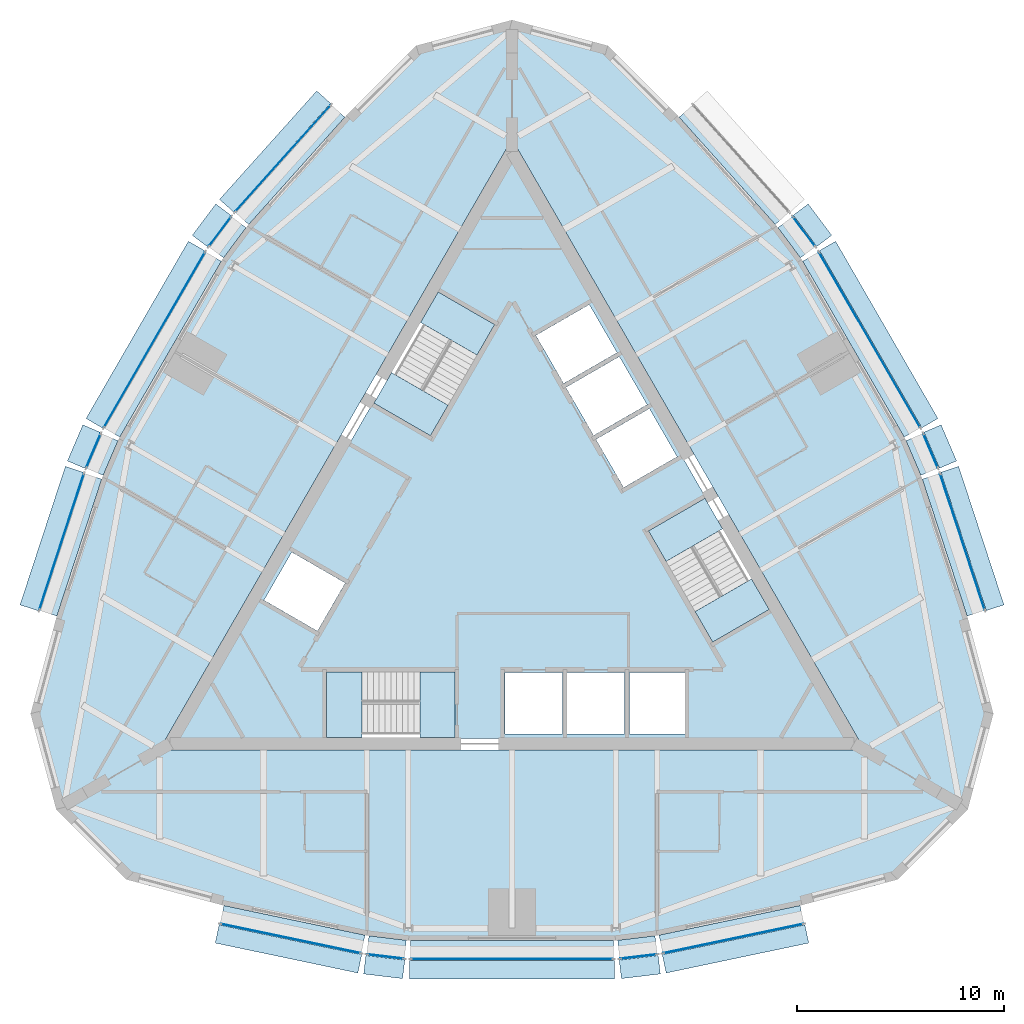
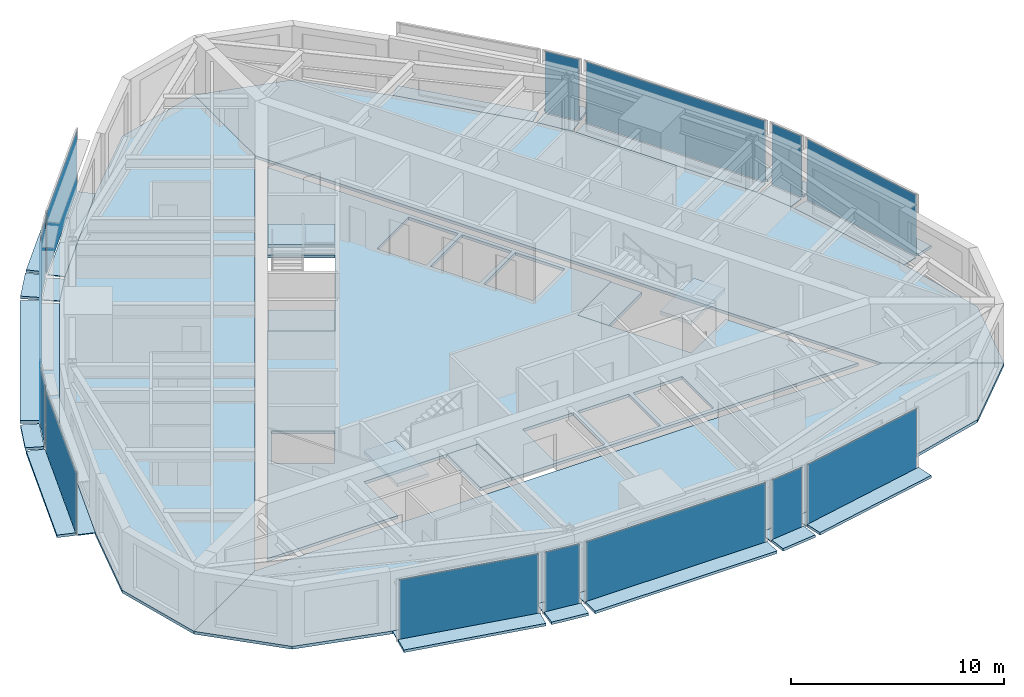
# One storey, part 6 of 12: 43 plates, 10 slabs, 17 elements without a shape of their own.
"""IFC4 building model written with IfcOpenShell, lengths in metres."""

from ifc_helpers import new_model, si_unit, direction, frame, origin, origin_2d, place, context, subcontext, project, spatial, polyline, rectangle, outline, extrude, material, layer, layer_set, type_object, element, aggregate, save


model = new_model("IFC4")

# Units and contexts
model_context = context("Model", 3, precision=1e-05, world=origin(), true_north=direction((0.0, 1.0)))
body_context = subcontext(model_context, "Body", "Model", "MODEL_VIEW")
ifc_project = project(units=[si_unit("LENGTHUNIT", "METRE"), si_unit("AREAUNIT", "SQUARE_METRE"), si_unit("VOLUMEUNIT", "CUBIC_METRE"), si_unit("PLANEANGLEUNIT", "RADIAN"), si_unit("MASSUNIT", "GRAM", prefix="KILO")], contexts=[model_context])

# Site, building, storey
site_placement = place(None, origin())
site = spatial("IfcSite", under=ifc_project, at=site_placement, CompositionType="ELEMENT")
building_placement = place(site_placement, origin())
building = spatial("IfcBuilding", under=site, at=building_placement, Name="Trikona Tower", CompositionType="ELEMENT")
storey_placement = place(building_placement, frame((0.0, 0.0, 257.300048828125)))
storey = spatial("IfcBuildingStorey", under=building, at=storey_placement, Name="L68", CompositionType="ELEMENT", Elevation=257.300048828125)

# Plates
ifc_material_1 = material(Name="Aluminium bar grating", Category="aluminium")
ifc_layer_1 = layer(ifc_material_1, 0.050048828125)
ifc_layer_set_1 = layer_set([ifc_layer_1], Name="Cavity catwalk grating")
plate_type_1 = type_object("IfcPlateType", Name="Cavity catwalk grating", PredefinedType="USERDEFINED", material=ifc_layer_set_1)
plate_1_placement = place(storey_placement, frame((-10.586181640625, -18.466552734375, -0.05029296875), z_axis=(0.0, 0.0, 1.0), x_axis=(0.97865342171, -0.205517590916, 0.0)))
element("IfcPlate", 1, at=plate_1_placement, inside=storey, type_object=plate_type_1, Name="Cavity catwalk L68-00", ObjectType="CATWALK GRATING", PredefinedType="USERDEFINED", context=body_context, shape_type="SweptSolid", body=[
    extrude(rectangle(XDim=6.95263671875, YDim=0.840087890625, at=origin_2d()), origin(), (0.0, 0.0, 1.0), 0.050048828125),
])
plate_2_placement = place(storey_placement, frame((-6.050048828125, -19.327392578125, -0.05029296875), z_axis=(0.0, 0.0, 1.0), x_axis=(0.992876783199, -0.11914568135, 0.0)))
element("IfcPlate", 2, at=plate_2_placement, inside=storey, type_object=plate_type_1, Name="Cavity catwalk L68-01", ObjectType="CATWALK GRATING", PredefinedType="USERDEFINED", context=body_context, shape_type="SweptSolid", body=[
    extrude(rectangle(XDim=1.814208984375, YDim=0.840087890625, at=origin_2d()), origin(), (0.0, 0.0, 1.0), 0.050048828125),
])
plate_3_placement = place(storey_placement, frame((0.0, -19.450439453125, -0.05029296875), z_axis=(0.0, 0.0, 1.0), x_axis=(1.0, 0.0, 0.0)))
element("IfcPlate", 3, at=plate_3_placement, inside=storey, type_object=plate_type_1, Name="Cavity catwalk L68-02", ObjectType="CATWALK GRATING", PredefinedType="USERDEFINED", context=body_context, shape_type="SweptSolid", body=[
    extrude(rectangle(XDim=9.800048828125, YDim=0.840087890625, at=origin_2d()), origin(), (0.0, 0.0, 1.0), 0.050048828125),
])
plate_4_placement = place(storey_placement, frame((6.050048828125, -19.327392578125, -0.05029296875), z_axis=(0.0, 0.0, 1.0), x_axis=(0.992876783199, 0.11914568135, 0.0)))
element("IfcPlate", 4, at=plate_4_placement, inside=storey, type_object=plate_type_1, Name="Cavity catwalk L68-03", ObjectType="CATWALK GRATING", PredefinedType="USERDEFINED", context=body_context, shape_type="SweptSolid", body=[
    extrude(rectangle(XDim=1.814208984375, YDim=0.840087890625, at=origin_2d()), origin(), (0.0, 0.0, 1.0), 0.050048828125),
])
for number, where, z_axis, x_axis, name in (
    (5, (10.586181640625, -18.466552734375, -0.05029296875), (0.0, 0.0, 1.0), (0.97865342171, 0.205517590916, 0.0), "Cavity catwalk L68-04"),
    (6, (21.28564453125, 0.065185546875, -0.05029296875), (0.0, 0.0, 1.0), (-0.311336621861, 0.950299693722, 0.0), "Cavity catwalk L68-09"),
):
    element("IfcPlate", number, at=place(storey_placement, frame(where, z_axis=z_axis, x_axis=x_axis)), inside=storey, type_object=plate_type_1, Name=name, ObjectType="CATWALK GRATING", PredefinedType="USERDEFINED", context=body_context, shape_type="SweptSolid", body=[
        extrude(rectangle(XDim=6.95263671875, YDim=0.840087890625, at=origin_2d()), origin(), (0.0, 0.0, 1.0), 0.050048828125),
    ])
plate_5_placement = place(storey_placement, frame((19.76318359375, 4.42431640625, -0.05029296875), z_axis=(0.0, 0.0, 1.0), x_axis=(-0.39328408933, 0.919417002823, 0.0)))
element("IfcPlate", 7, at=plate_5_placement, inside=storey, type_object=plate_type_1, Name="Cavity catwalk L68-10", ObjectType="CATWALK GRATING", PredefinedType="USERDEFINED", context=body_context, shape_type="SweptSolid", body=[
    extrude(rectangle(XDim=1.814208984375, YDim=0.840087890625, at=origin_2d()), origin(), (0.0, 0.0, 1.0), 0.050048828125),
])
plate_6_placement = place(storey_placement, frame((16.844482421875, 9.72509765625, -0.05029296875), z_axis=(0.0, 0.0, 1.0), x_axis=(-0.4999984885, 0.866026276448, 0.0)))
element("IfcPlate", 8, at=plate_6_placement, inside=storey, type_object=plate_type_1, Name="Cavity catwalk L68-11", ObjectType="CATWALK GRATING", PredefinedType="USERDEFINED", context=body_context, shape_type="SweptSolid", body=[
    extrude(rectangle(XDim=9.800048828125, YDim=0.840087890625, at=origin_2d()), origin(), (0.0, 0.0, 1.0), 0.050048828125),
])
plate_7_placement = place(storey_placement, frame((13.713134765625, 14.9033203125, -0.05029296875), z_axis=(0.0, 0.0, 1.0), x_axis=(-0.599618784879, 0.800285769472, 0.0)))
element("IfcPlate", 9, at=plate_7_placement, inside=storey, type_object=plate_type_1, Name="Cavity catwalk L68-12", ObjectType="CATWALK GRATING", PredefinedType="USERDEFINED", context=body_context, shape_type="SweptSolid", body=[
    extrude(rectangle(XDim=1.814208984375, YDim=0.840087890625, at=origin_2d()), origin(), (0.0, 0.0, 1.0), 0.050048828125),
])
for number, where, z_axis, x_axis, name in (
    (10, (10.699462890625, 18.4013671875, -0.05029296875), (0.0, 0.0, 1.0), (-0.667311465398, 0.744778764566, 0.0), "Cavity catwalk L68-13"),
    (11, (-10.699462890625, 18.4013671875, -0.05029296875), (0.0, 0.0, 1.0), (-0.667311465398, -0.744778764566, 0.0), "Cavity catwalk L68-18"),
):
    element("IfcPlate", number, at=place(storey_placement, frame(where, z_axis=z_axis, x_axis=x_axis)), inside=storey, type_object=plate_type_1, Name=name, ObjectType="CATWALK GRATING", PredefinedType="USERDEFINED", context=body_context, shape_type="SweptSolid", body=[
        extrude(rectangle(XDim=6.95263671875, YDim=0.840087890625, at=origin_2d()), origin(), (0.0, 0.0, 1.0), 0.050048828125),
    ])
plate_8_placement = place(storey_placement, frame((-13.713134765625, 14.9033203125, -0.05029296875), z_axis=(0.0, 0.0, 1.0), x_axis=(-0.599618784879, -0.800285769472, 0.0)))
element("IfcPlate", 12, at=plate_8_placement, inside=storey, type_object=plate_type_1, Name="Cavity catwalk L68-19", ObjectType="CATWALK GRATING", PredefinedType="USERDEFINED", context=body_context, shape_type="SweptSolid", body=[
    extrude(rectangle(XDim=1.814208984375, YDim=0.840087890625, at=origin_2d()), origin(), (0.0, 0.0, 1.0), 0.050048828125),
])
plate_9_placement = place(storey_placement, frame((-16.844482421875, 9.72509765625, -0.05029296875), z_axis=(0.0, 0.0, 1.0), x_axis=(-0.4999984885, -0.866026276448, 0.0)))
element("IfcPlate", 13, at=plate_9_placement, inside=storey, type_object=plate_type_1, Name="Cavity catwalk L68-20", ObjectType="CATWALK GRATING", PredefinedType="USERDEFINED", context=body_context, shape_type="SweptSolid", body=[
    extrude(rectangle(XDim=9.800048828125, YDim=0.840087890625, at=origin_2d()), origin(), (0.0, 0.0, 1.0), 0.050048828125),
])
plate_10_placement = place(storey_placement, frame((-19.76318359375, 4.42431640625, -0.05029296875), z_axis=(0.0, 0.0, 1.0), x_axis=(-0.39328408933, -0.919417002823, 0.0)))
element("IfcPlate", 14, at=plate_10_placement, inside=storey, type_object=plate_type_1, Name="Cavity catwalk L68-21", ObjectType="CATWALK GRATING", PredefinedType="USERDEFINED", context=body_context, shape_type="SweptSolid", body=[
    extrude(rectangle(XDim=1.814208984375, YDim=0.840087890625, at=origin_2d()), origin(), (0.0, 0.0, 1.0), 0.050048828125),
])
plate_11_placement = place(storey_placement, frame((-21.28564453125, 0.065185546875, -0.05029296875), z_axis=(0.0, 0.0, 1.0), x_axis=(-0.311336621861, -0.950299693722, 0.0)))
element("IfcPlate", 15, at=plate_11_placement, inside=storey, type_object=plate_type_1, Name="Cavity catwalk L68-22", ObjectType="CATWALK GRATING", PredefinedType="USERDEFINED", context=body_context, shape_type="SweptSolid", body=[
    extrude(rectangle(XDim=6.95263671875, YDim=0.840087890625, at=origin_2d()), origin(), (0.0, 0.0, 1.0), 0.050048828125),
])

# Slabs
ifc_material_2 = material(Name="Concrete f'c 5000 psi lightweight on composite steel deck", Category="concrete")
ifc_layer_2 = layer(ifc_material_2, 0.1650390625)
ifc_layer_set_2 = layer_set([ifc_layer_2], Name="Composite floor slab 165")
slab_type_1 = type_object("IfcSlabType", Name="Composite floor slab 165", PredefinedType="FLOOR", material=ifc_layer_set_2)
slab_1_placement = place(storey_placement, frame((0.0, 0.0, -0.1650390625)))
element("IfcSlab", 16, at=slab_1_placement, inside=storey, type_object=slab_type_1, Name="Floor slab L68 core", PredefinedType="FLOOR", context=body_context, shape_type="SweptSolid", body=[
    extrude(outline(polyline([(-16.06689453125, -9.2763671875), (-8.949951171875, -9.2763671875), (-8.949951171875, -6.076416015625), (-2.75, -6.076416015625), (-2.75, -9.2763671875), (16.06689453125, -9.2763671875), (12.45849609375, -3.026123046875), (9.687255859375, -4.626220703125), (6.587158203125, 0.7431640625), (9.3583984375, 2.34326171875), (0.0, 18.552490234375), (-3.6083984375, 12.302490234375), (-0.837158203125, 10.702392578125), (-3.937255859375, 5.3330078125), (-6.70849609375, 6.93310546875), (-16.06689453125, -9.2763671875)]), holes=[polyline([(5.659912109375, -6.086181640625), (5.659912109375, -9.06640625), (8.340087890625, -9.06640625), (8.340087890625, -6.086181640625), (5.659912109375, -6.086181640625)]), polyline([(6.631591796875, 6.646240234375), (4.05078125, 5.15625), (5.390869140625, 2.835205078125), (7.9716796875, 4.3251953125), (6.631591796875, 6.646240234375)]), polyline([(6.521484375, 6.8369140625), (5.181640625, 9.15771484375), (2.600830078125, 7.667724609375), (3.94091796875, 5.3466796875), (6.521484375, 6.8369140625)]), polyline([(2.659912109375, -9.06640625), (5.43994140625, -9.06640625), (5.43994140625, -6.086181640625), (2.659912109375, -6.086181640625), (2.659912109375, -9.06640625)]), polyline([(2.490966796875, 7.858154296875), (5.071533203125, 9.34814453125), (3.731689453125, 11.669189453125), (1.15087890625, 10.17919921875), (2.490966796875, 7.858154296875)]), polyline([(2.43994140625, -9.06640625), (2.43994140625, -6.086181640625), (-0.340087890625, -6.086181640625), (-0.340087890625, -9.06640625), (2.43994140625, -9.06640625)]), polyline([(-11.9716796875, -2.602783203125), (-9.390869140625, -4.093017578125), (-8.05078125, -1.77197265625), (-10.631591796875, -0.281982421875), (-11.9716796875, -2.602783203125)])]), origin(), (0.0, 0.0, 1.0), 0.1650390625),
])
slab_2_placement = place(storey_placement, frame((0.0, 0.0, -0.1650390625)))
element("IfcSlab", 17, at=slab_2_placement, inside=storey, type_object=slab_type_1, Name="Floor slab L68 south", PredefinedType="FLOOR", context=body_context, shape_type="SweptSolid", body=[
    extrude(outline(polyline([(18.618896484375, -16.0830078125), (22.0, -12.70166015625), (17.01953125, -9.826416015625), (-17.01953125, -9.826416015625), (-22.0, -12.70166015625), (-18.618896484375, -16.0830078125), (-14.0, -17.320556640625), (-7.0, -18.79052734375), (-5.0, -19.030517578125), (5.0, -19.030517578125), (7.0, -18.79052734375), (14.0, -17.320556640625), (18.618896484375, -16.0830078125)])), origin(), (0.0, 0.0, 1.0), 0.1650390625),
])
slab_3_placement = place(storey_placement, frame((0.0, 0.0, -0.1650390625)))
element("IfcSlab", 18, at=slab_3_placement, inside=storey, type_object=slab_type_1, Name="Floor slab L68 north-east", PredefinedType="FLOOR", context=body_context, shape_type="SweptSolid", body=[
    extrude(outline(polyline([(4.618896484375, 24.165771484375), (0.0, 25.4033203125), (0.0, 19.652587890625), (17.01953125, -9.826416015625), (22.0, -12.70166015625), (23.237548828125, -8.0830078125), (22.0, -3.464111328125), (19.773193359375, 3.3330078125), (18.98095703125, 5.18505859375), (13.98095703125, 13.845458984375), (12.773193359375, 15.45751953125), (8.0, 20.78466796875), (4.618896484375, 24.165771484375)])), origin(), (0.0, 0.0, 1.0), 0.1650390625),
])
slab_4_placement = place(storey_placement, frame((0.0, 0.0, -0.1650390625)))
element("IfcSlab", 19, at=slab_4_placement, inside=storey, type_object=slab_type_1, Name="Floor slab L68 north-west", PredefinedType="FLOOR", context=body_context, shape_type="SweptSolid", body=[
    extrude(outline(polyline([(0.0, 19.652587890625), (0.0, 25.4033203125), (-4.618896484375, 24.165771484375), (-8.0, 20.78466796875), (-12.773193359375, 15.45751953125), (-13.98095703125, 13.845458984375), (-18.98095703125, 5.18505859375), (-19.773193359375, 3.3330078125), (-22.0, -3.464111328125), (-23.237548828125, -8.0830078125), (-22.0, -12.70166015625), (-17.01953125, -9.826416015625), (0.0, 19.652587890625)])), origin(), (0.0, 0.0, 1.0), 0.1650390625),
])

# Curtain wall, plate
ifc_material_3 = material(Name="Aluminium curtain wall system", Category="aluminium")
curtain_wall_type = type_object("IfcCurtainWallType", Name="Curtain wall DS3", PredefinedType="NOTDEFINED", material=ifc_material_3)
curtain_wall_1_placement = place(storey_placement, origin())
curtain_wall_1 = element("IfcCurtainWall", 20, at=curtain_wall_1_placement, inside=storey, type_object=curtain_wall_type, Name="Curtain wall DS3 L68", PredefinedType="NOTDEFINED")
ifc_material_4 = material(Name="Laminated clear glass", Category="glass")
ifc_layer_3 = layer(ifc_material_4, 0.028076171875)
ifc_layer_set_3 = layer_set([ifc_layer_3], Name="Glass panel DS3")
plate_type_2 = type_object("IfcPlateType", Name="Glass panel DS3", PredefinedType="CURTAIN_PANEL", material=ifc_layer_set_3)
plate_12_placement = place(storey_placement, frame((-10.68505859375, -18.936279296875, 0.0), z_axis=(0.0, 0.0, 1.0), x_axis=(0.978651351583, -0.205527448396, 0.0)))
plate_12 = element("IfcPlate", 21, at=plate_12_placement, type_object=plate_type_2, Name="CW-DS3 panel 1.1", PredefinedType="CURTAIN_PANEL", context=body_context, shape_type="SweptSolid", body=[
    extrude(rectangle(XDim=6.892578125, YDim=0.028076171875, at=origin_2d()), origin(), (0.0, 0.0, 1.0), 3.530029296875),
])
aggregate(curtain_wall_1, [plate_12])

curtain_wall_2_placement = place(storey_placement, origin())
curtain_wall_2 = element("IfcCurtainWall", 22, at=curtain_wall_2_placement, inside=storey, type_object=curtain_wall_type, Name="Curtain wall DS3 L68", PredefinedType="NOTDEFINED")
plate_13_placement = place(storey_placement, frame((-6.107177734375, -19.803955078125, 0.0), z_axis=(0.0, 0.0, 1.0), x_axis=(0.992877338043, -0.119141057581, 0.0)))
plate_13 = element("IfcPlate", 23, at=plate_13_placement, type_object=plate_type_2, Name="CW-DS3 panel 1.1", PredefinedType="CURTAIN_PANEL", context=body_context, shape_type="SweptSolid", body=[
    extrude(rectangle(XDim=1.75439453125, YDim=0.028076171875, at=origin_2d()), origin(), (0.0, 0.0, 1.0), 3.530029296875),
])
aggregate(curtain_wall_2, [plate_13])

curtain_wall_3_placement = place(storey_placement, origin())
curtain_wall_3 = element("IfcCurtainWall", 24, at=curtain_wall_3_placement, inside=storey, type_object=curtain_wall_type, Name="Curtain wall DS3 L68", PredefinedType="NOTDEFINED")
plate_14_placement = place(storey_placement, frame((0.0, -19.930419921875, 0.0), z_axis=(0.0, 0.0, 1.0), x_axis=(1.0, 0.0, 0.0)))
plate_14 = element("IfcPlate", 25, at=plate_14_placement, type_object=plate_type_2, Name="CW-DS3 panel 1.1", PredefinedType="CURTAIN_PANEL", context=body_context, shape_type="SweptSolid", body=[
    extrude(rectangle(XDim=9.739990234375, YDim=0.028076171875, at=origin_2d()), origin(), (0.0, 0.0, 1.0), 3.530029296875),
])
aggregate(curtain_wall_3, [plate_14])

curtain_wall_4_placement = place(storey_placement, origin())
curtain_wall_4 = element("IfcCurtainWall", 26, at=curtain_wall_4_placement, inside=storey, type_object=curtain_wall_type, Name="Curtain wall DS3 L68", PredefinedType="NOTDEFINED")
plate_15_placement = place(storey_placement, frame((6.107177734375, -19.803955078125, 0.0), z_axis=(0.0, 0.0, 1.0), x_axis=(0.992877338043, 0.119141057581, 0.0)))
plate_15 = element("IfcPlate", 27, at=plate_15_placement, type_object=plate_type_2, Name="CW-DS3 panel 1.1", PredefinedType="CURTAIN_PANEL", context=body_context, shape_type="SweptSolid", body=[
    extrude(rectangle(XDim=1.75439453125, YDim=0.028076171875, at=origin_2d()), origin(), (0.0, 0.0, 1.0), 3.530029296875),
])
aggregate(curtain_wall_4, [plate_15])

curtain_wall_5_placement = place(storey_placement, origin())
curtain_wall_5 = element("IfcCurtainWall", 28, at=curtain_wall_5_placement, inside=storey, type_object=curtain_wall_type, Name="Curtain wall DS3 L68", PredefinedType="NOTDEFINED")
plate_16_placement = place(storey_placement, frame((10.68505859375, -18.936279296875, 0.0), z_axis=(0.0, 0.0, 1.0), x_axis=(0.978651351583, 0.205527448396, 0.0)))
plate_16 = element("IfcPlate", 29, at=plate_16_placement, type_object=plate_type_2, Name="CW-DS3 panel 1.1", PredefinedType="CURTAIN_PANEL", context=body_context, shape_type="SweptSolid", body=[
    extrude(rectangle(XDim=6.892578125, YDim=0.028076171875, at=origin_2d()), origin(), (0.0, 0.0, 1.0), 3.530029296875),
])
aggregate(curtain_wall_5, [plate_16])

curtain_wall_6_placement = place(storey_placement, origin())
curtain_wall_6 = element("IfcCurtainWall", 30, at=curtain_wall_6_placement, inside=storey, type_object=curtain_wall_type, Name="Curtain wall DS3 L68", PredefinedType="NOTDEFINED")
plate_17_placement = place(storey_placement, frame((21.74169921875, 0.214599609375, 0.0), z_axis=(0.0, 0.0, 1.0), x_axis=(-0.311343553515, 0.95029742275, 0.0)))
plate_17 = element("IfcPlate", 31, at=plate_17_placement, type_object=plate_type_2, Name="CW-DS3 panel 1.1", PredefinedType="CURTAIN_PANEL", context=body_context, shape_type="SweptSolid", body=[
    extrude(rectangle(XDim=6.892822265625, YDim=0.028076171875, at=origin_2d()), origin(), (0.0, 0.0, 1.0), 3.530029296875),
])
aggregate(curtain_wall_6, [plate_17])

curtain_wall_7_placement = place(storey_placement, origin())
curtain_wall_7 = element("IfcCurtainWall", 32, at=curtain_wall_7_placement, inside=storey, type_object=curtain_wall_type, Name="Curtain wall DS3 L68", PredefinedType="NOTDEFINED")
plate_18_placement = place(storey_placement, frame((20.20458984375, 4.613037109375, 0.0), z_axis=(0.0, 0.0, 1.0), x_axis=(-0.393275726143, 0.919420580163, 0.0)))
plate_18 = element("IfcPlate", 33, at=plate_18_placement, type_object=plate_type_2, Name="CW-DS3 panel 1.1", PredefinedType="CURTAIN_PANEL", context=body_context, shape_type="SweptSolid", body=[
    extrude(rectangle(XDim=1.75439453125, YDim=0.028076171875, at=origin_2d()), origin(), (0.0, 0.0, 1.0), 3.530029296875),
])
aggregate(curtain_wall_7, [plate_18])

curtain_wall_8_placement = place(storey_placement, origin())
curtain_wall_8 = element("IfcCurtainWall", 34, at=curtain_wall_8_placement, inside=storey, type_object=curtain_wall_type, Name="Curtain wall DS3 L68", PredefinedType="NOTDEFINED")
plate_19_placement = place(storey_placement, frame((17.26025390625, 9.96533203125, 0.0), z_axis=(0.0, 0.0, 1.0), x_axis=(-0.500001358187, 0.866024619633, 0.0)))
plate_19 = element("IfcPlate", 35, at=plate_19_placement, type_object=plate_type_2, Name="CW-DS3 panel 1.1", PredefinedType="CURTAIN_PANEL", context=body_context, shape_type="SweptSolid", body=[
    extrude(rectangle(XDim=9.739990234375, YDim=0.028076171875, at=origin_2d()), origin(), (0.0, 0.0, 1.0), 3.530029296875),
])
aggregate(curtain_wall_8, [plate_19])

curtain_wall_9_placement = place(storey_placement, origin())
curtain_wall_9 = element("IfcCurtainWall", 36, at=curtain_wall_9_placement, inside=storey, type_object=curtain_wall_type, Name="Curtain wall DS3 L68", PredefinedType="NOTDEFINED")
plate_20_placement = place(storey_placement, frame((14.09716796875, 15.191162109375, 0.0), z_axis=(0.0, 0.0, 1.0), x_axis=(-0.599653634435, 0.800259657055, 0.0)))
plate_20 = element("IfcPlate", 37, at=plate_20_placement, type_object=plate_type_2, Name="CW-DS3 panel 1.1", PredefinedType="CURTAIN_PANEL", context=body_context, shape_type="SweptSolid", body=[
    extrude(rectangle(XDim=1.754150390625, YDim=0.028076171875, at=origin_2d()), origin(), (0.0, 0.0, 1.0), 3.530029296875),
])
aggregate(curtain_wall_9, [plate_20])

curtain_wall_10_placement = place(storey_placement, origin())
curtain_wall_10 = element("IfcCurtainWall", 38, at=curtain_wall_10_placement, inside=storey, type_object=curtain_wall_type, Name="Curtain wall DS3 L68", PredefinedType="NOTDEFINED")
plate_21_placement = place(storey_placement, frame((-11.056884765625, 18.7216796875, 0.0), z_axis=(0.0, 0.0, 1.0), x_axis=(-0.667319643748, -0.744771436797, 0.0)))
plate_21 = element("IfcPlate", 39, at=plate_21_placement, type_object=plate_type_2, Name="CW-DS3 panel 1.1", PredefinedType="CURTAIN_PANEL", context=body_context, shape_type="SweptSolid", body=[
    extrude(rectangle(XDim=6.892822265625, YDim=0.028076171875, at=origin_2d()), origin(), (0.0, 0.0, 1.0), 3.530029296875),
])
aggregate(curtain_wall_10, [plate_21])

curtain_wall_11_placement = place(storey_placement, origin())
curtain_wall_11 = element("IfcCurtainWall", 40, at=curtain_wall_11_placement, inside=storey, type_object=curtain_wall_type, Name="Curtain wall DS3 L68", PredefinedType="NOTDEFINED")
plate_22_placement = place(storey_placement, frame((-14.09716796875, 15.191162109375, 0.0), z_axis=(0.0, 0.0, 1.0), x_axis=(-0.599653634435, -0.800259657055, 0.0)))
plate_22 = element("IfcPlate", 41, at=plate_22_placement, type_object=plate_type_2, Name="CW-DS3 panel 1.1", PredefinedType="CURTAIN_PANEL", context=body_context, shape_type="SweptSolid", body=[
    extrude(rectangle(XDim=1.754150390625, YDim=0.028076171875, at=origin_2d()), origin(), (0.0, 0.0, 1.0), 3.530029296875),
])
aggregate(curtain_wall_11, [plate_22])

curtain_wall_12_placement = place(storey_placement, origin())
curtain_wall_12 = element("IfcCurtainWall", 42, at=curtain_wall_12_placement, inside=storey, type_object=curtain_wall_type, Name="Curtain wall DS3 L68", PredefinedType="NOTDEFINED")
plate_23_placement = place(storey_placement, frame((-17.26025390625, 9.96533203125, 0.0), z_axis=(0.0, 0.0, 1.0), x_axis=(-0.500001358187, -0.866024619633, 0.0)))
plate_23 = element("IfcPlate", 43, at=plate_23_placement, type_object=plate_type_2, Name="CW-DS3 panel 1.1", PredefinedType="CURTAIN_PANEL", context=body_context, shape_type="SweptSolid", body=[
    extrude(rectangle(XDim=9.739990234375, YDim=0.028076171875, at=origin_2d()), origin(), (0.0, 0.0, 1.0), 3.530029296875),
])
aggregate(curtain_wall_12, [plate_23])

curtain_wall_13_placement = place(storey_placement, origin())
curtain_wall_13 = element("IfcCurtainWall", 44, at=curtain_wall_13_placement, inside=storey, type_object=curtain_wall_type, Name="Curtain wall DS3 L68", PredefinedType="NOTDEFINED")
plate_24_placement = place(storey_placement, frame((-20.20458984375, 4.613037109375, 0.0), z_axis=(0.0, 0.0, 1.0), x_axis=(-0.393275726143, -0.919420580163, 0.0)))
plate_24 = element("IfcPlate", 45, at=plate_24_placement, type_object=plate_type_2, Name="CW-DS3 panel 1.1", PredefinedType="CURTAIN_PANEL", context=body_context, shape_type="SweptSolid", body=[
    extrude(rectangle(XDim=1.75439453125, YDim=0.028076171875, at=origin_2d()), origin(), (0.0, 0.0, 1.0), 3.530029296875),
])
aggregate(curtain_wall_13, [plate_24])

curtain_wall_14_placement = place(storey_placement, origin())
curtain_wall_14 = element("IfcCurtainWall", 46, at=curtain_wall_14_placement, inside=storey, type_object=curtain_wall_type, Name="Curtain wall DS3 L68", PredefinedType="NOTDEFINED")
plate_25_placement = place(storey_placement, frame((-21.74169921875, 0.214599609375, 0.0), z_axis=(0.0, 0.0, 1.0), x_axis=(-0.311343553515, -0.95029742275, 0.0)))
plate_25 = element("IfcPlate", 47, at=plate_25_placement, type_object=plate_type_2, Name="CW-DS3 panel 1.1", PredefinedType="CURTAIN_PANEL", context=body_context, shape_type="SweptSolid", body=[
    extrude(rectangle(XDim=6.892822265625, YDim=0.028076171875, at=origin_2d()), origin(), (0.0, 0.0, 1.0), 3.530029296875),
])
aggregate(curtain_wall_14, [plate_25])

# Plates
ifc_material_5 = material(Name="Aluminium plate fin, pale anodised, on stainless steel outriggers", Category="steel")
ifc_layer_4 = layer(ifc_material_5, 0.14990234375)
ifc_layer_set_4 = layer_set([ifc_layer_4], Name="Outer skin fin 900")
plate_type_3 = type_object("IfcPlateType", Name="Outer skin fin 900", PredefinedType="USERDEFINED", material=ifc_layer_set_4)
plate_26_placement = place(storey_placement, frame((-10.789794921875, -19.435302734375, 0.0), z_axis=(0.0, 0.0, 1.0), x_axis=(0.97865342171, -0.205517590916, 0.0)))
element("IfcPlate", 48, at=plate_26_placement, inside=storey, type_object=plate_type_3, Name="Outer skin fin L68-00", ObjectType="FIN", PredefinedType="USERDEFINED", context=body_context, shape_type="SweptSolid", body=[
    extrude(rectangle(XDim=7.03271484375, YDim=0.89990234375, at=origin_2d()), origin(), (0.0, 0.0, 1.0), 0.14990234375),
])
plate_27_placement = place(storey_placement, frame((-6.16796875, -20.310546875, 0.0), z_axis=(0.0, 0.0, 1.0), x_axis=(0.992876783199, -0.11914568135, 0.0)))
element("IfcPlate", 49, at=plate_27_placement, inside=storey, type_object=plate_type_3, Name="Outer skin fin L68-01", ObjectType="FIN", PredefinedType="USERDEFINED", context=body_context, shape_type="SweptSolid", body=[
    extrude(rectangle(XDim=1.894287109375, YDim=0.89990234375, at=origin_2d()), origin(), (0.0, 0.0, 1.0), 0.14990234375),
])
plate_28_placement = place(storey_placement, frame((0.0, -20.4404296875, 0.0), z_axis=(0.0, 0.0, 1.0), x_axis=(1.0, 0.0, 0.0)))
element("IfcPlate", 50, at=plate_28_placement, inside=storey, type_object=plate_type_3, Name="Outer skin fin L68-02", ObjectType="FIN", PredefinedType="USERDEFINED", context=body_context, shape_type="SweptSolid", body=[
    extrude(rectangle(XDim=9.8798828125, YDim=0.89990234375, at=origin_2d()), origin(), (0.0, 0.0, 1.0), 0.14990234375),
])
plate_29_placement = place(storey_placement, frame((6.16796875, -20.310546875, 0.0), z_axis=(0.0, 0.0, 1.0), x_axis=(0.992876783199, 0.11914568135, 0.0)))
element("IfcPlate", 51, at=plate_29_placement, inside=storey, type_object=plate_type_3, Name="Outer skin fin L68-03", ObjectType="FIN", PredefinedType="USERDEFINED", context=body_context, shape_type="SweptSolid", body=[
    extrude(rectangle(XDim=1.894287109375, YDim=0.89990234375, at=origin_2d()), origin(), (0.0, 0.0, 1.0), 0.14990234375),
])
for number, where, z_axis, x_axis, name in (
    (52, (10.789794921875, -19.435302734375, 0.0), (0.0, 0.0, 1.0), (0.97865342171, 0.205517590916, 0.0), "Outer skin fin L68-04"),
    (53, (22.2265625, 0.37353515625, 0.0), (0.0, 0.0, 1.0), (-0.311336621861, 0.950299693722, 0.0), "Outer skin fin L68-09"),
):
    element("IfcPlate", number, at=place(storey_placement, frame(where, z_axis=z_axis, x_axis=x_axis)), inside=storey, type_object=plate_type_3, Name=name, ObjectType="FIN", PredefinedType="USERDEFINED", context=body_context, shape_type="SweptSolid", body=[
        extrude(rectangle(XDim=7.03271484375, YDim=0.89990234375, at=origin_2d()), origin(), (0.0, 0.0, 1.0), 0.14990234375),
    ])
plate_30_placement = place(storey_placement, frame((20.67333984375, 4.813720703125, 0.0), z_axis=(0.0, 0.0, 1.0), x_axis=(-0.39328408933, 0.919417002823, 0.0)))
element("IfcPlate", 54, at=plate_30_placement, inside=storey, type_object=plate_type_3, Name="Outer skin fin L68-10", ObjectType="FIN", PredefinedType="USERDEFINED", context=body_context, shape_type="SweptSolid", body=[
    extrude(rectangle(XDim=1.894287109375, YDim=0.89990234375, at=origin_2d()), origin(), (0.0, 0.0, 1.0), 0.14990234375),
])
plate_31_placement = place(storey_placement, frame((17.701904296875, 10.22021484375, 0.0), z_axis=(0.0, 0.0, 1.0), x_axis=(-0.4999984885, 0.866026276448, 0.0)))
element("IfcPlate", 55, at=plate_31_placement, inside=storey, type_object=plate_type_3, Name="Outer skin fin L68-11", ObjectType="FIN", PredefinedType="USERDEFINED", context=body_context, shape_type="SweptSolid", body=[
    extrude(rectangle(XDim=9.8798828125, YDim=0.89990234375, at=origin_2d()), origin(), (0.0, 0.0, 1.0), 0.14990234375),
])
plate_32_placement = place(storey_placement, frame((14.50537109375, 15.496826171875, 0.0), z_axis=(0.0, 0.0, 1.0), x_axis=(-0.599618784879, 0.800285769472, 0.0)))
element("IfcPlate", 56, at=plate_32_placement, inside=storey, type_object=plate_type_3, Name="Outer skin fin L68-12", ObjectType="FIN", PredefinedType="USERDEFINED", context=body_context, shape_type="SweptSolid", body=[
    extrude(rectangle(XDim=1.894287109375, YDim=0.89990234375, at=origin_2d()), origin(), (0.0, 0.0, 1.0), 0.14990234375),
])
plate_33_placement = place(storey_placement, frame((-11.436767578125, 19.06201171875, 0.0), z_axis=(0.0, 0.0, 1.0), x_axis=(-0.667311465398, -0.744778764566, 0.0)))
element("IfcPlate", 57, at=plate_33_placement, inside=storey, type_object=plate_type_3, Name="Outer skin fin L68-18", ObjectType="FIN", PredefinedType="USERDEFINED", context=body_context, shape_type="SweptSolid", body=[
    extrude(rectangle(XDim=7.03271484375, YDim=0.89990234375, at=origin_2d()), origin(), (0.0, 0.0, 1.0), 0.14990234375),
])
plate_34_placement = place(storey_placement, frame((-14.50537109375, 15.496826171875, 0.0), z_axis=(0.0, 0.0, 1.0), x_axis=(-0.599618784879, -0.800285769472, 0.0)))
element("IfcPlate", 58, at=plate_34_placement, inside=storey, type_object=plate_type_3, Name="Outer skin fin L68-19", ObjectType="FIN", PredefinedType="USERDEFINED", context=body_context, shape_type="SweptSolid", body=[
    extrude(rectangle(XDim=1.894287109375, YDim=0.89990234375, at=origin_2d()), origin(), (0.0, 0.0, 1.0), 0.14990234375),
])
plate_35_placement = place(storey_placement, frame((-17.701904296875, 10.22021484375, 0.0), z_axis=(0.0, 0.0, 1.0), x_axis=(-0.4999984885, -0.866026276448, 0.0)))
element("IfcPlate", 59, at=plate_35_placement, inside=storey, type_object=plate_type_3, Name="Outer skin fin L68-20", ObjectType="FIN", PredefinedType="USERDEFINED", context=body_context, shape_type="SweptSolid", body=[
    extrude(rectangle(XDim=9.8798828125, YDim=0.89990234375, at=origin_2d()), origin(), (0.0, 0.0, 1.0), 0.14990234375),
])
plate_36_placement = place(storey_placement, frame((-20.67333984375, 4.813720703125, 0.0), z_axis=(0.0, 0.0, 1.0), x_axis=(-0.39328408933, -0.919417002823, 0.0)))
element("IfcPlate", 60, at=plate_36_placement, inside=storey, type_object=plate_type_3, Name="Outer skin fin L68-21", ObjectType="FIN", PredefinedType="USERDEFINED", context=body_context, shape_type="SweptSolid", body=[
    extrude(rectangle(XDim=1.894287109375, YDim=0.89990234375, at=origin_2d()), origin(), (0.0, 0.0, 1.0), 0.14990234375),
])
plate_37_placement = place(storey_placement, frame((-22.2265625, 0.37353515625, 0.0), z_axis=(0.0, 0.0, 1.0), x_axis=(-0.311336621861, -0.950299693722, 0.0)))
element("IfcPlate", 61, at=plate_37_placement, inside=storey, type_object=plate_type_3, Name="Outer skin fin L68-22", ObjectType="FIN", PredefinedType="USERDEFINED", context=body_context, shape_type="SweptSolid", body=[
    extrude(rectangle(XDim=7.03271484375, YDim=0.89990234375, at=origin_2d()), origin(), (0.0, 0.0, 1.0), 0.14990234375),
])

# Stair, slabs
ifc_material_6 = material(Name="Concrete f'c 5000 psi", Category="concrete")
stair_type = type_object("IfcStairType", Name="Core stair", PredefinedType="HALF_TURN_STAIR", material=ifc_material_6)
stair_1_placement = place(storey_placement, origin())
stair_1 = element("IfcStair", 62, at=stair_1_placement, inside=storey, type_object=stair_type, Name="Stair A L68", PredefinedType="HALF_TURN_STAIR")
ifc_material_7 = material(Name="Concrete f'c 5000 psi", Category="concrete")
ifc_layer_5 = layer(ifc_material_7, 0.199951171875)
ifc_layer_set_5 = layer_set([ifc_layer_5], Name="Stair landing 200")
slab_type_2 = type_object("IfcSlabType", Name="Stair landing 200", PredefinedType="LANDING", material=ifc_layer_set_5)
slab_5_placement = place(storey_placement, frame((0.0, 0.0, -0.199951171875)))
slab_5 = element("IfcSlab", 63, at=slab_5_placement, type_object=slab_type_2, Name="ST-A landing 1", PredefinedType="LANDING", context=body_context, shape_type="SweptSolid", body=[
    extrude(outline(polyline([(-4.452880859375, -6.076416015625), (-2.75, -6.076416015625), (-2.75, -9.226318359375), (-4.452880859375, -9.226318359375), (-4.452880859375, -6.076416015625)])), origin(), (0.0, 0.0, 1.0), 0.199951171875),
])
slab_6_placement = place(storey_placement, frame((0.0, 0.0, 1.599853515625)))
slab_6 = element("IfcSlab", 64, at=slab_6_placement, type_object=slab_type_2, Name="ST-A landing 2", PredefinedType="LANDING", context=body_context, shape_type="SweptSolid", body=[
    extrude(outline(polyline([(-8.949951171875, -6.076416015625), (-7.2470703125, -6.076416015625), (-7.2470703125, -9.226318359375), (-8.949951171875, -9.226318359375), (-8.949951171875, -6.076416015625)])), origin(), (0.0, 0.0, 1.0), 0.2001953125),
])
aggregate(stair_1, [slab_5, slab_6])

stair_2_placement = place(storey_placement, origin())
stair_2 = element("IfcStair", 65, at=stair_2_placement, inside=storey, type_object=stair_type, Name="Stair B L68", PredefinedType="HALF_TURN_STAIR")
slab_7_placement = place(storey_placement, frame((0.0, 0.0, -0.199951171875)))
slab_7 = element("IfcSlab", 66, at=slab_7_placement, type_object=slab_type_2, Name="ST-B landing 1", PredefinedType="LANDING", context=body_context, shape_type="SweptSolid", body=[
    extrude(outline(polyline([(7.438720703125, -0.731689453125), (6.587158203125, 0.7431640625), (9.315185546875, 2.318115234375), (10.166748046875, 0.84326171875), (7.438720703125, -0.731689453125)])), origin(), (0.0, 0.0, 1.0), 0.199951171875),
])
slab_8_placement = place(storey_placement, frame((0.0, 0.0, 1.599853515625)))
slab_8 = element("IfcSlab", 67, at=slab_8_placement, type_object=slab_type_2, Name="ST-B landing 2", PredefinedType="LANDING", context=body_context, shape_type="SweptSolid", body=[
    extrude(outline(polyline([(9.687255859375, -4.626220703125), (8.835693359375, -3.1513671875), (11.563720703125, -1.576416015625), (12.415283203125, -3.05126953125), (9.687255859375, -4.626220703125)])), origin(), (0.0, 0.0, 1.0), 0.2001953125),
])
aggregate(stair_2, [slab_7, slab_8])

stair_3_placement = place(storey_placement, origin())
stair_3 = element("IfcStair", 68, at=stair_3_placement, inside=storey, type_object=stair_type, Name="Stair C L68", PredefinedType="HALF_TURN_STAIR")
slab_9_placement = place(storey_placement, frame((0.0, 0.0, -0.199951171875)))
slab_9 = element("IfcSlab", 69, at=slab_9_placement, type_object=slab_type_2, Name="ST-C landing 1", PredefinedType="LANDING", context=body_context, shape_type="SweptSolid", body=[
    extrude(outline(polyline([(-3.085693359375, 6.807861328125), (-3.937255859375, 5.3330078125), (-6.665283203125, 6.908203125), (-5.813720703125, 8.3828125), (-3.085693359375, 6.807861328125)])), origin(), (0.0, 0.0, 1.0), 0.199951171875),
])
slab_10_placement = place(storey_placement, frame((0.0, 0.0, 1.599853515625)))
slab_10 = element("IfcSlab", 70, at=slab_10_placement, type_object=slab_type_2, Name="ST-C landing 2", PredefinedType="LANDING", context=body_context, shape_type="SweptSolid", body=[
    extrude(outline(polyline([(-0.837158203125, 10.702392578125), (-1.688720703125, 9.2275390625), (-4.416748046875, 10.802490234375), (-3.565185546875, 12.277587890625), (-0.837158203125, 10.702392578125)])), origin(), (0.0, 0.0, 1.0), 0.2001953125),
])
aggregate(stair_3, [slab_9, slab_10])

save(model, "model.ifc")
